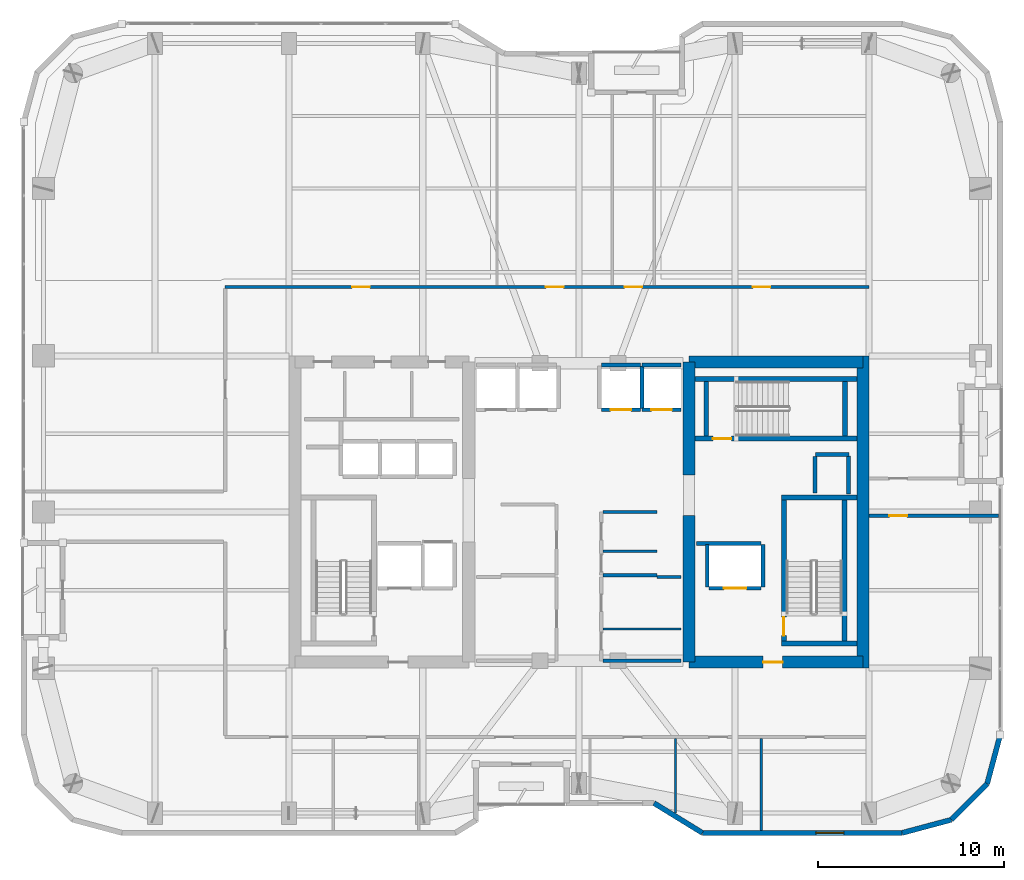
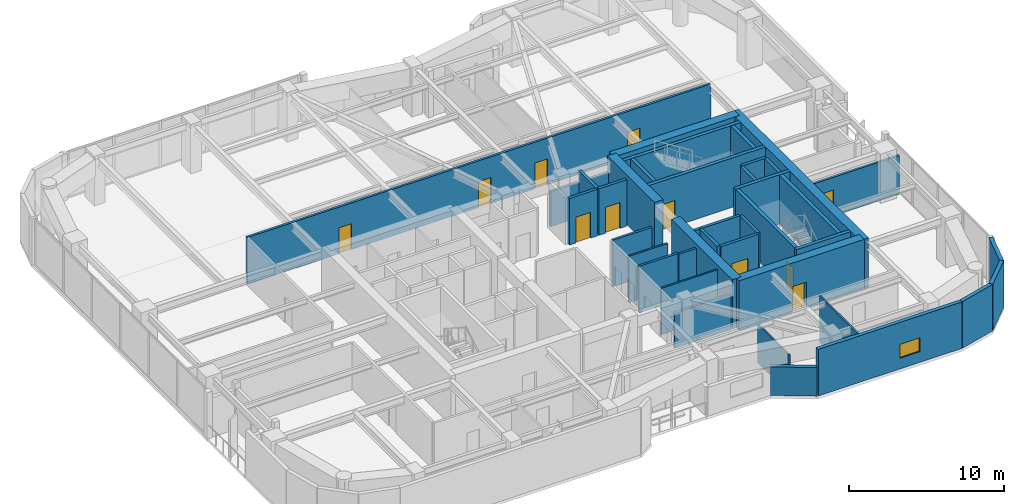
# One storey, part 26 of 30: 40 walls, 11 doors, 1 window, 12 openings.
"""IFC4 building model written with IfcOpenShell, lengths in metres."""

from ifc_helpers import new_model, si_unit, direction, frame, frame_2d, origin, place, context, subcontext, project, spatial, rectangle, extrude, material, layer, layer_set, type_object, element, fill, save


model = new_model("IFC4")

# Units and contexts
model_context = context("Model", 3, precision=1e-05, world=origin(), true_north=direction((0.0, 1.0)))
body_context = subcontext(model_context, "Body", "Model", "MODEL_VIEW")
ifc_project = project(units=[si_unit("LENGTHUNIT", "METRE"), si_unit("AREAUNIT", "SQUARE_METRE"), si_unit("VOLUMEUNIT", "CUBIC_METRE"), si_unit("PLANEANGLEUNIT", "RADIAN"), si_unit("MASSUNIT", "GRAM", prefix="KILO")], contexts=[model_context])

# Site, building, storey
site_placement = place(None, origin())
site = spatial("IfcSite", under=ifc_project, at=site_placement, CompositionType="ELEMENT")
building_placement = place(site_placement, origin())
building = spatial("IfcBuilding", under=site, at=building_placement, Name="Kiyonajd Concourse Tower", CompositionType="ELEMENT")
storey_placement = place(building_placement, frame((0.0, 0.0, 201.89990234375)))
storey = spatial("IfcBuildingStorey", under=building, at=storey_placement, Name="L51", CompositionType="ELEMENT", Elevation=201.89990234375)

# Walls
ifc_material_1 = material(Name="Concrete C60/75", Category="concrete")
ifc_layer_1 = layer(ifc_material_1, 0.64990234375)
ifc_layer_set_1 = layer_set([ifc_layer_1], Name="Concrete C60/75")
wall_type_1 = type_object("IfcWallType", Name="WL-CORE-650", PredefinedType="SHEAR", material=ifc_layer_set_1)
wall_1_placement = place(storey_placement, frame((53.925048828125, 27.925048828125, 0.0), z_axis=(0.0, 0.0, 1.0), x_axis=(0.0, 1.0, 0.0)))
element("IfcWall", 1, at=wall_1_placement, inside=storey, type_object=wall_type_1, Name="L51 East Core Inner South Shear Wall", PredefinedType="SHEAR", context=body_context, shape_type="SweptSolid", body=[
    extrude(rectangle(XDim=7.875, YDim=0.64990234375, at=frame_2d((3.9375, 0.0))), origin(), (0.0, 0.0, 1.0), 3.900146484375),
])
wall_2_placement = place(storey_placement, frame((53.925048828125, 38.0, 0.0), z_axis=(0.0, 0.0, 1.0), x_axis=(0.0, 1.0, 0.0)))
element("IfcWall", 2, at=wall_2_placement, inside=storey, type_object=wall_type_1, Name="L51 East Core Inner North Shear Wall", PredefinedType="SHEAR", context=body_context, shape_type="SweptSolid", body=[
    extrude(rectangle(XDim=6.074951171875, YDim=0.64990234375, at=frame_2d((3.03759765625, 0.0))), origin(), (0.0, 0.0, 1.0), 3.900146484375),
])
wall_3_placement = place(storey_placement, frame((63.27490234375, 27.60009765625, 0.0), z_axis=(0.0, 0.0, 1.0), x_axis=(0.0, 1.0, 0.0)))
element("IfcWall", 3, at=wall_3_placement, inside=storey, type_object=wall_type_1, Name="L51 East Core Outer Shear Wall", PredefinedType="SHEAR", context=body_context, shape_type="SweptSolid", body=[
    extrude(rectangle(XDim=16.7998046875, YDim=0.64990234375, at=frame_2d((8.39990234375, 0.0))), origin(), (0.0, 0.0, 1.0), 3.900146484375),
])

# Wall, opening, door
wall_4_placement = place(storey_placement, frame((53.925048828125, 27.925048828125, 0.0), z_axis=(0.0, 0.0, 1.0), x_axis=(1.0, 0.0, 0.0)))
wall_4 = element("IfcWall", 4, at=wall_4_placement, inside=storey, type_object=wall_type_1, Name="L51 East Core South Shear Wall", PredefinedType="SHEAR", context=body_context, shape_type="SweptSolid", body=[
    extrude(rectangle(XDim=9.349853515625, YDim=0.64990234375, at=frame_2d((4.6748046875, 0.0))), origin(), (0.0, 0.0, 1.0), 3.900146484375),
])
opening_1_placement = place(wall_4_placement, frame((3.97509765625, 0.0, 0.0)))
opening_1 = element("IfcOpeningElement", 5, at=opening_1_placement, cuts=wall_4, Name="Opening DF5", PredefinedType="OPENING", context=body_context, shape_type="SweptSolid", body=[
    extrude(rectangle(XDim=1.050048828125, YDim=2.0400390625, at=frame_2d((0.52490234375, 1.02001953125))), frame((0.0, 0.3349609375, 0.0), z_axis=(0.0, -1.0, 0.0), x_axis=(1.0, 0.0, 0.0)), (0.0, 0.0, 1.0), 0.669921875),
])
ifc_material_2 = material(Name="Brushed Stainless Steel Cab Assembly", Category="steel")
door_type_1 = type_object("IfcDoorType", Name="DR-FD45-1050", OperationType="NOTDEFINED", PredefinedType="DOOR", material=ifc_material_2)
door_1_placement = place(opening_1_placement, origin())
door_1 = element("IfcDoor", 6, at=door_1_placement, inside=storey, type_object=door_type_1, Name="L51 Firefighting Lift Lobby E Smoke Door", OperationType="SINGLE_SWING_RIGHT", OverallHeight=2.0400390625, OverallWidth=1.050048828125, PredefinedType="DOOR", context=body_context, shape_type="SweptSolid", body=[
    extrude(rectangle(XDim=1.050048828125, YDim=2.0400390625, at=frame_2d((0.52490234375, 1.02001953125))), frame((0.0, 0.02490234375, 0.0), z_axis=(0.0, -1.0, 0.0), x_axis=(1.0, 0.0, 0.0)), (0.0, 0.0, 1.0), 0.050048828125),
])
fill(opening_1, door_1)

# Walls
wall_5_placement = place(storey_placement, frame((53.925048828125, 44.074951171875, 0.0), z_axis=(0.0, 0.0, 1.0), x_axis=(1.0, 0.0, 0.0)))
element("IfcWall", 7, at=wall_5_placement, inside=storey, type_object=wall_type_1, Name="L51 East Core North Shear Wall", PredefinedType="SHEAR", context=body_context, shape_type="SweptSolid", body=[
    extrude(rectangle(XDim=9.349853515625, YDim=0.64990234375, at=frame_2d((4.6748046875, 0.0))), origin(), (0.0, 0.0, 1.0), 3.900146484375),
])
ifc_material_3 = material(Name="Precast concrete C50/60", Category="concrete")
ifc_layer_2 = layer(ifc_material_3, 0.280029296875)
ifc_layer_set_2 = layer_set([ifc_layer_2], Name="Precast concrete C50/60")
wall_type_2 = type_object("IfcWallType", Name="WL-EXT-280", PredefinedType="SOLIDWALL", material=ifc_layer_set_2)
wall_6_placement = place(storey_placement, frame((70.659912109375, 24.018310546875, 0.0), z_axis=(0.0, 0.0, 1.0), x_axis=(-0.258672222976, -0.9659651552, 0.0)))
element("IfcWall", 8, at=wall_6_placement, inside=storey, type_object=wall_type_2, Name="L51 Exterior Concrete Frame Wall 25", PredefinedType="SOLIDWALL", context=body_context, shape_type="SweptSolid", body=[
    extrude(rectangle(XDim=2.739013671875, YDim=0.280029296875, at=frame_2d((1.36962890625, 0.0))), origin(), (0.0, 0.0, 1.0), 3.68017578125),
])
wall_7_placement = place(storey_placement, frame((69.951416015625, 21.37255859375, 0.0), z_axis=(0.0, 0.0, 1.0), x_axis=(-0.707061915429, -0.707151644098, 0.0)))
element("IfcWall", 9, at=wall_7_placement, inside=storey, type_object=wall_type_2, Name="L51 Exterior Concrete Frame Wall 26", PredefinedType="SOLIDWALL", context=body_context, shape_type="SweptSolid", body=[
    extrude(rectangle(XDim=2.720947265625, YDim=0.280029296875, at=frame_2d((1.3603515625, 0.0))), origin(), (0.0, 0.0, 1.0), 3.68017578125),
])
wall_8_placement = place(storey_placement, frame((68.027587890625, 19.448486328125, 0.0), z_axis=(0.0, 0.0, 1.0), x_axis=(-0.965971118627, -0.258649952598, 0.0)))
element("IfcWall", 10, at=wall_8_placement, inside=storey, type_object=wall_type_2, Name="L51 Exterior Concrete Frame Wall 27", PredefinedType="SOLIDWALL", context=body_context, shape_type="SweptSolid", body=[
    extrude(rectangle(XDim=2.7392578125, YDim=0.280029296875, at=frame_2d((1.36962890625, 0.0))), origin(), (0.0, 0.0, 1.0), 3.68017578125),
])

# Wall, opening, window
wall_9_placement = place(storey_placement, frame((65.381591796875, 18.739990234375, 0.0), z_axis=(0.0, 0.0, 1.0), x_axis=(-1.0, 0.0, 0.0)))
wall_9 = element("IfcWall", 11, at=wall_9_placement, inside=storey, type_object=wall_type_2, Name="L51 Exterior Concrete Frame Wall 28", PredefinedType="SOLIDWALL", context=body_context, shape_type="SweptSolid", body=[
    extrude(rectangle(XDim=10.741943359375, YDim=0.280029296875, at=frame_2d((5.37109375, 0.0))), origin(), (0.0, 0.0, 1.0), 3.68017578125),
])
opening_2_placement = place(wall_9_placement, frame((3.135986328125, 0.0, 0.85009765625)))
opening_2 = element("IfcOpeningElement", 12, at=opening_2_placement, cuts=wall_9, Name="Opening WN2", PredefinedType="OPENING", context=body_context, shape_type="SweptSolid", body=[
    extrude(rectangle(XDim=1.5, YDim=1.10009765625, at=frame_2d((0.75, 0.550048828125))), frame((0.0, 0.14990234375, 0.0), z_axis=(0.0, -1.0, 0.0), x_axis=(1.0, 0.0, 0.0)), (0.0, 0.0, 1.0), 0.300048828125),
])
ifc_material_4 = material(Name="Double Low-E Insulated Glass", Category="glass")
window_type = type_object("IfcWindowType", Name="WN-VIS-1500x1100", PartitioningType="SINGLE_PANEL", PredefinedType="WINDOW", material=ifc_material_4)
window_placement = place(opening_2_placement, origin())
window = element("IfcWindow", 13, at=window_placement, inside=storey, type_object=window_type, Name="L51 Modular Facade Vision Window 28", OverallHeight=1.10009765625, OverallWidth=1.5, PartitioningType="SINGLE_PANEL", PredefinedType="WINDOW", context=body_context, shape_type="SweptSolid", body=[
    extrude(rectangle(XDim=1.5, YDim=1.10009765625, at=frame_2d((0.75, 0.550048828125))), frame((0.0, 0.030029296875, 0.0), z_axis=(0.0, -1.0, 0.0), x_axis=(1.0, 0.0, 0.0)), (0.0, 0.0, 1.0), 0.06005859375),
])
fill(opening_2, window)

# Walls
wall_10_placement = place(storey_placement, frame((54.6396484375, 18.739990234375, 0.0), z_axis=(0.0, 0.0, 1.0), x_axis=(-0.851652825334, 0.524106349037, 0.0)))
element("IfcWall", 14, at=wall_10_placement, inside=storey, type_object=wall_type_2, Name="L51 Exterior Concrete Frame Wall 29", PredefinedType="SOLIDWALL", context=body_context, shape_type="SweptSolid", body=[
    extrude(rectangle(XDim=3.052978515625, YDim=0.280029296875, at=frame_2d((1.5263671875, 0.0))), origin(), (0.0, 0.0, 1.0), 2.26513671875),
])
ifc_material_5 = material(Name="Gypsum Board on Cold-Formed Steel Stud", Category="steel")
ifc_layer_3 = layer(ifc_material_5, 0.125)
ifc_layer_set_3 = layer_set([ifc_layer_3], Name="Gypsum Board on Cold-Formed Steel Stud")
wall_type_3 = type_object("IfcWallType", Name="WL-PART-125", PredefinedType="PARTITIONING", material=ifc_layer_set_3)
wall_11_placement = place(storey_placement, frame((49.287109375, 33.89208984375, 0.0), z_axis=(0.0, 0.0, 1.0), x_axis=(1.0, 0.0, 0.0)))
element("IfcWall", 15, at=wall_11_placement, inside=storey, type_object=wall_type_3, Name="L51 Interior Partition Wall", PredefinedType="PARTITIONING", context=body_context, shape_type="SweptSolid", body=[
    extrude(rectangle(XDim=2.912841796875, YDim=0.125, at=frame_2d((1.45654296875, 0.0))), origin(), (0.0, 0.0, 1.0), 3.68017578125),
])
wall_12_placement = place(storey_placement, frame((49.287109375, 29.7099609375, 0.0), z_axis=(0.0, 0.0, 1.0), x_axis=(1.0, 0.0, 0.0)))
element("IfcWall", 16, at=wall_12_placement, inside=storey, type_object=wall_type_3, Name="L51 Interior Partition Wall", PredefinedType="PARTITIONING", context=body_context, shape_type="SweptSolid", body=[
    extrude(rectangle(XDim=4.212890625, YDim=0.125, at=frame_2d((2.1064453125, 0.0))), origin(), (0.0, 0.0, 1.0), 3.68017578125),
])
wall_13_placement = place(storey_placement, frame((53.18994140625, 19.800048828125, 0.0), z_axis=(0.0, 0.0, 1.0), x_axis=(0.0, 1.0, 0.0)))
element("IfcWall", 17, at=wall_13_placement, inside=storey, type_object=wall_type_3, Name="L51 Interior Partition Wall", PredefinedType="PARTITIONING", context=body_context, shape_type="SweptSolid", body=[
    extrude(rectangle(XDim=4.012939453125, YDim=0.125, at=frame_2d((2.00634765625, 0.0))), origin(), (0.0, 0.0, 1.0), 3.043212890625),
])
wall_14_placement = place(storey_placement, frame((57.800048828125, 18.875, 0.0), z_axis=(0.0, 0.0, 1.0), x_axis=(0.0, 1.0, 0.0)))
element("IfcWall", 18, at=wall_14_placement, inside=storey, type_object=wall_type_3, Name="L51 Interior Partition Wall", PredefinedType="PARTITIONING", context=body_context, shape_type="SweptSolid", body=[
    extrude(rectangle(XDim=4.93798828125, YDim=0.125, at=frame_2d((2.468994140625, 0.0))), origin(), (0.0, 0.0, 1.0), 3.68017578125),
])
ifc_layer_4 = layer(ifc_material_5, 0.2099609375)
ifc_layer_set_4 = layer_set([ifc_layer_4], Name="Gypsum Board on Cold-Formed Steel Stud")
wall_type_4 = type_object("IfcWallType", Name="WL-SHAFT-210", PredefinedType="PARTITIONING", material=ifc_layer_set_4)
wall_15_placement = place(storey_placement, frame((60.719970703125, 39.10009765625, 0.0), z_axis=(0.0, 0.0, 1.0), x_axis=(1.0, 0.0, 0.0)))
element("IfcWall", 19, at=wall_15_placement, inside=storey, type_object=wall_type_4, Name="L51 Shaft Enclosure Wall", PredefinedType="PARTITIONING", context=body_context, shape_type="SweptSolid", body=[
    extrude(rectangle(XDim=1.800048828125, YDim=0.2099609375, at=frame_2d((0.89990234375, 0.0))), origin(), (0.0, 0.0, 1.0), 3.68017578125),
])
wall_16_placement = place(storey_placement, frame((60.699951171875, 37.02001953125, 0.0), z_axis=(0.0, 0.0, 1.0), x_axis=(0.0, 1.0, 0.0)))
element("IfcWall", 20, at=wall_16_placement, inside=storey, type_object=wall_type_4, Name="L51 Shaft Enclosure Wall", PredefinedType="PARTITIONING", context=body_context, shape_type="SweptSolid", body=[
    extrude(rectangle(XDim=1.9599609375, YDim=0.2099609375, at=frame_2d((0.97998046875, 0.0))), origin(), (0.0, 0.0, 1.0), 3.68017578125),
])
wall_17_placement = place(storey_placement, frame((62.5, 36.97998046875, 0.0), z_axis=(0.0, 0.0, 1.0), x_axis=(0.0, 1.0, 0.0)))
element("IfcWall", 21, at=wall_17_placement, inside=storey, type_object=wall_type_4, Name="L51 Shaft Enclosure Wall", PredefinedType="PARTITIONING", context=body_context, shape_type="SweptSolid", body=[
    extrude(rectangle(XDim=2.0400390625, YDim=0.2099609375, at=frame_2d((1.02001953125, 0.0))), origin(), (0.0, 0.0, 1.0), 3.68017578125),
])

# Wall, opening, door
wall_18_placement = place(storey_placement, frame((55.0, 31.89990234375, 0.0), z_axis=(0.0, 0.0, 1.0), x_axis=(1.0, 0.0, 0.0)))
wall_18 = element("IfcWall", 22, at=wall_18_placement, inside=storey, type_object=wall_type_4, Name="L51 Shaft Enclosure Wall", PredefinedType="PARTITIONING", context=body_context, shape_type="SweptSolid", body=[
    extrude(rectangle(XDim=2.800048828125, YDim=0.2099609375, at=frame_2d((1.39990234375, 0.0))), origin(), (0.0, 0.0, 1.0), 3.68017578125),
])
opening_3_placement = place(wall_18_placement, frame((0.800048828125, 0.0, 0.0)))
opening_3 = element("IfcOpeningElement", 23, at=opening_3_placement, cuts=wall_18, Name="Opening LD2", PredefinedType="OPENING", context=body_context, shape_type="SweptSolid", body=[
    extrude(rectangle(XDim=1.199951171875, YDim=2.0400390625, at=frame_2d((0.60009765625, 1.02001953125))), frame((0.0, 0.114990234375, 0.0), z_axis=(0.0, -1.0, 0.0), x_axis=(1.0, 0.0, 0.0)), (0.0, 0.0, 1.0), 0.22998046875),
])
door_type_2 = type_object("IfcDoorType", Name="DR-LD-1200", OperationType="DOUBLE_DOOR_SLIDING", PredefinedType="DOOR", material=ifc_material_2)
door_2_placement = place(opening_3_placement, origin())
door_2 = element("IfcDoor", 24, at=door_2_placement, inside=storey, type_object=door_type_2, Name="L51 Lift FFL2 Sliding Landing Door", OperationType="DOUBLE_DOOR_SLIDING", OverallHeight=2.0400390625, OverallWidth=1.199951171875, PredefinedType="DOOR", context=body_context, shape_type="SweptSolid", body=[
    extrude(rectangle(XDim=1.199951171875, YDim=2.0400390625, at=frame_2d((0.60009765625, 1.02001953125))), frame((0.0, 0.02490234375, 0.0), z_axis=(0.0, -1.0, 0.0), x_axis=(1.0, 0.0, 0.0)), (0.0, 0.0, 1.0), 0.050048828125),
])
fill(opening_3, door_2)

# Walls
wall_19_placement = place(storey_placement, frame((54.320068359375, 34.300048828125, 0.0), z_axis=(0.0, 0.0, 1.0), x_axis=(1.0, 0.0, 0.0)))
element("IfcWall", 25, at=wall_19_placement, inside=storey, type_object=wall_type_4, Name="L51 Shaft Enclosure Wall", PredefinedType="PARTITIONING", context=body_context, shape_type="SweptSolid", body=[
    extrude(rectangle(XDim=3.47998046875, YDim=0.2099609375, at=frame_2d((1.739990234375, 0.0))), origin(), (0.0, 0.0, 1.0), 3.68017578125),
])
for number, where, z_axis, x_axis, name in (
    (26, (54.89990234375, 31.9599609375, 0.0), (0.0, 0.0, 1.0), (0.0, 1.0, 0.0), "L51 Shaft Enclosure Wall"),
    (27, (57.89990234375, 31.9599609375, 0.0), (0.0, 0.0, 1.0), (0.0, 1.0, 0.0), "L51 Shaft Enclosure Wall"),
):
    element("IfcWall", number, at=place(storey_placement, frame(where, z_axis=z_axis, x_axis=x_axis)), inside=storey, type_object=wall_type_4, Name=name, PredefinedType="PARTITIONING", context=body_context, shape_type="SweptSolid", body=[
        extrude(rectangle(XDim=2.280029296875, YDim=0.2099609375, at=frame_2d((1.14013671875, 0.0))), origin(), (0.0, 0.0, 1.0), 3.68017578125),
    ])

# Wall, opening, door
wall_20_placement = place(storey_placement, frame((49.199951171875, 41.5, 0.0), z_axis=(0.0, 0.0, 1.0), x_axis=(1.0, 0.0, 0.0)))
wall_20 = element("IfcWall", 28, at=wall_20_placement, inside=storey, type_object=wall_type_4, Name="L51 Shaft Enclosure Wall", PredefinedType="PARTITIONING", context=body_context, shape_type="SweptSolid", body=[
    extrude(rectangle(XDim=2.10009765625, YDim=0.2099609375, at=frame_2d((1.050048828125, 0.0))), origin(), (0.0, 0.0, 1.0), 3.68017578125),
])
opening_4_placement = place(wall_20_placement, frame((0.5, 0.0, 0.0)))
opening_4 = element("IfcOpeningElement", 29, at=opening_4_placement, cuts=wall_20, Name="Opening LD1", PredefinedType="OPENING", context=body_context, shape_type="SweptSolid", body=[
    extrude(rectangle(XDim=1.10009765625, YDim=2.0400390625, at=frame_2d((0.550048828125, 1.02001953125))), frame((0.0, 0.114990234375, 0.0), z_axis=(0.0, -1.0, 0.0), x_axis=(1.0, 0.0, 0.0)), (0.0, 0.0, 1.0), 0.22998046875),
])
door_type_3 = type_object("IfcDoorType", Name="DR-LD-1100", OperationType="DOUBLE_DOOR_SLIDING", PredefinedType="DOOR", material=ifc_material_2)
door_3_placement = place(opening_4_placement, origin())
door_3 = element("IfcDoor", 30, at=door_3_placement, inside=storey, type_object=door_type_3, Name="L51 Lift PL-M3 Sliding Landing Door", OperationType="DOUBLE_DOOR_SLIDING", OverallHeight=2.0400390625, OverallWidth=1.10009765625, PredefinedType="DOOR", context=body_context, shape_type="SweptSolid", body=[
    extrude(rectangle(XDim=1.10009765625, YDim=2.0400390625, at=frame_2d((0.550048828125, 1.02001953125))), frame((0.0, 0.02490234375, 0.0), z_axis=(0.0, -1.0, 0.0), x_axis=(1.0, 0.0, 0.0)), (0.0, 0.0, 1.0), 0.050048828125),
])
fill(opening_4, door_3)

# Walls
wall_21_placement = place(storey_placement, frame((49.199951171875, 43.89990234375, 0.0), z_axis=(0.0, 0.0, 1.0), x_axis=(1.0, 0.0, 0.0)))
element("IfcWall", 31, at=wall_21_placement, inside=storey, type_object=wall_type_4, Name="L51 Shaft Enclosure Wall", PredefinedType="PARTITIONING", context=body_context, shape_type="SweptSolid", body=[
    extrude(rectangle(XDim=2.10009765625, YDim=0.2099609375, at=frame_2d((1.050048828125, 0.0))), origin(), (0.0, 0.0, 1.0), 2.76513671875),
])
wall_22_placement = place(storey_placement, frame((51.39990234375, 41.56005859375, 0.0), z_axis=(0.0, 0.0, 1.0), x_axis=(0.0, 1.0, 0.0)))
element("IfcWall", 32, at=wall_22_placement, inside=storey, type_object=wall_type_4, Name="L51 Shaft Enclosure Wall", PredefinedType="PARTITIONING", context=body_context, shape_type="SweptSolid", body=[
    extrude(rectangle(XDim=2.280029296875, YDim=0.2099609375, at=frame_2d((1.14013671875, 0.0))), origin(), (0.0, 0.0, 1.0), 3.68017578125),
])

# Wall, opening, door
wall_23_placement = place(storey_placement, frame((51.39990234375, 41.5, 0.0), z_axis=(0.0, 0.0, 1.0), x_axis=(1.0, 0.0, 0.0)))
wall_23 = element("IfcWall", 33, at=wall_23_placement, inside=storey, type_object=wall_type_4, Name="L51 Shaft Enclosure Wall", PredefinedType="PARTITIONING", context=body_context, shape_type="SweptSolid", body=[
    extrude(rectangle(XDim=2.10009765625, YDim=0.2099609375, at=frame_2d((1.050048828125, 0.0))), origin(), (0.0, 0.0, 1.0), 3.68017578125),
])
opening_5_placement = place(wall_23_placement, frame((0.5, 0.0, 0.0)))
opening_5 = element("IfcOpeningElement", 34, at=opening_5_placement, cuts=wall_23, Name="Opening LD1", PredefinedType="OPENING", context=body_context, shape_type="SweptSolid", body=[
    extrude(rectangle(XDim=1.10009765625, YDim=2.0400390625, at=frame_2d((0.550048828125, 1.02001953125))), frame((0.0, 0.114990234375, 0.0), z_axis=(0.0, -1.0, 0.0), x_axis=(1.0, 0.0, 0.0)), (0.0, 0.0, 1.0), 0.22998046875),
])
door_4_placement = place(opening_5_placement, origin())
door_4 = element("IfcDoor", 35, at=door_4_placement, inside=storey, type_object=door_type_3, Name="L51 Lift PL-M4 Sliding Landing Door", OperationType="DOUBLE_DOOR_SLIDING", OverallHeight=2.0400390625, OverallWidth=1.10009765625, PredefinedType="DOOR", context=body_context, shape_type="SweptSolid", body=[
    extrude(rectangle(XDim=1.10009765625, YDim=2.0400390625, at=frame_2d((0.550048828125, 1.02001953125))), frame((0.0, 0.02490234375, 0.0), z_axis=(0.0, -1.0, 0.0), x_axis=(1.0, 0.0, 0.0)), (0.0, 0.0, 1.0), 0.050048828125),
])
fill(opening_5, door_4)

# Walls
wall_24_placement = place(storey_placement, frame((51.39990234375, 43.89990234375, 0.0), z_axis=(0.0, 0.0, 1.0), x_axis=(1.0, 0.0, 0.0)))
element("IfcWall", 36, at=wall_24_placement, inside=storey, type_object=wall_type_4, Name="L51 Shaft Enclosure Wall", PredefinedType="PARTITIONING", context=body_context, shape_type="SweptSolid", body=[
    extrude(rectangle(XDim=2.10009765625, YDim=0.2099609375, at=frame_2d((1.050048828125, 0.0))), origin(), (0.0, 0.0, 1.0), 2.76513671875),
])
ifc_layer_5 = layer(ifc_material_5, 0.169921875)
ifc_layer_set_5 = layer_set([ifc_layer_5], Name="Gypsum Board on Cold-Formed Steel Stud")
wall_type_5 = type_object("IfcWallType", Name="WL-SMK-170", PredefinedType="PARTITIONING", material=ifc_layer_set_5)
for number, where, z_axis, x_axis, name in (
    (37, (49.287109375, 32.60009765625, 0.0), (0.0, 0.0, 1.0), (1.0, 0.0, 0.0), "L51 Interior Partition Wall"),
    (38, (49.287109375, 36.0, 0.0), (0.0, 0.0, 1.0), (1.0, 0.0, 0.0), "L51 Interior Partition Wall"),
):
    element("IfcWall", number, at=place(storey_placement, frame(where, z_axis=z_axis, x_axis=x_axis)), inside=storey, type_object=wall_type_5, Name=name, PredefinedType="PARTITIONING", context=body_context, shape_type="SweptSolid", body=[
        extrude(rectangle(XDim=2.912841796875, YDim=0.169921875, at=frame_2d((1.45654296875, 0.0))), origin(), (0.0, 0.0, 1.0), 3.68017578125),
    ])
wall_25_placement = place(storey_placement, frame((49.287109375, 28.0, 0.0), z_axis=(0.0, 0.0, 1.0), x_axis=(1.0, 0.0, 0.0)))
element("IfcWall", 39, at=wall_25_placement, inside=storey, type_object=wall_type_5, Name="L51 Interior Partition Wall", PredefinedType="PARTITIONING", context=body_context, shape_type="SweptSolid", body=[
    extrude(rectangle(XDim=4.212890625, YDim=0.169921875, at=frame_2d((2.1064453125, 0.0))), origin(), (0.0, 0.0, 1.0), 2.76513671875),
])
wall_26_placement = place(storey_placement, frame((52.199951171875, 32.5, 0.0), z_axis=(0.0, 0.0, 1.0), x_axis=(1.0, 0.0, 0.0)))
element("IfcWall", 40, at=wall_26_placement, inside=storey, type_object=wall_type_5, Name="L51 Interior Partition Wall", PredefinedType="PARTITIONING", context=body_context, shape_type="SweptSolid", body=[
    extrude(rectangle(XDim=1.300048828125, YDim=0.169921875, at=frame_2d((0.64990234375, 0.0))), origin(), (0.0, 0.0, 1.0), 3.68017578125),
])

# Wall, openings, doors
wall_27_placement = place(storey_placement, frame((28.97509765625, 48.10009765625, 0.0), z_axis=(0.0, 0.0, 1.0), x_axis=(1.0, 0.0, 0.0)))
wall_27 = element("IfcWall", 41, at=wall_27_placement, inside=storey, type_object=wall_type_5, Name="L51 Interior Partition Wall", PredefinedType="PARTITIONING", context=body_context, shape_type="SweptSolid", body=[
    extrude(rectangle(XDim=34.625, YDim=0.169921875, at=frame_2d((17.3125, 0.0))), origin(), (0.0, 0.0, 1.0), 3.68017578125),
])
opening_6_placement = place(wall_27_placement, frame((6.83203125, 0.0, 0.0)))
opening_6 = element("IfcOpeningElement", 42, at=opening_6_placement, cuts=wall_27, Name="Opening DI1", PredefinedType="OPENING", context=body_context, shape_type="SweptSolid", body=[
    extrude(rectangle(XDim=0.949951171875, YDim=2.0400390625, at=frame_2d((0.47509765625, 1.02001953125))), frame((0.0, 0.094970703125, 0.0), z_axis=(0.0, -1.0, 0.0), x_axis=(1.0, 0.0, 0.0)), (0.0, 0.0, 1.0), 0.18994140625),
])
opening_7_placement = place(wall_27_placement, frame((17.2451171875, 0.0, 0.0)))
opening_7 = element("IfcOpeningElement", 43, at=opening_7_placement, cuts=wall_27, Name="Opening DI1", PredefinedType="OPENING", context=body_context, shape_type="SweptSolid", body=[
    extrude(rectangle(XDim=0.949951171875, YDim=2.0400390625, at=frame_2d((0.47509765625, 1.02001953125))), frame((0.0, 0.094970703125, 0.0), z_axis=(0.0, -1.0, 0.0), x_axis=(1.0, 0.0, 0.0)), (0.0, 0.0, 1.0), 0.18994140625),
])
opening_8_placement = place(wall_27_placement, frame((21.47509765625, 0.0, 0.0)))
opening_8 = element("IfcOpeningElement", 44, at=opening_8_placement, cuts=wall_27, Name="Opening DI1", PredefinedType="OPENING", context=body_context, shape_type="SweptSolid", body=[
    extrude(rectangle(XDim=0.949951171875, YDim=2.0400390625, at=frame_2d((0.47509765625, 1.02001953125))), frame((0.0, 0.094970703125, 0.0), z_axis=(0.0, -1.0, 0.0), x_axis=(1.0, 0.0, 0.0)), (0.0, 0.0, 1.0), 0.18994140625),
])
opening_9_placement = place(wall_27_placement, frame((28.375, 0.0, 0.0)))
opening_9 = element("IfcOpeningElement", 45, at=opening_9_placement, cuts=wall_27, Name="Opening DI1", PredefinedType="OPENING", context=body_context, shape_type="SweptSolid", body=[
    extrude(rectangle(XDim=0.949951171875, YDim=2.0400390625, at=frame_2d((0.47509765625, 1.02001953125))), frame((0.0, 0.094970703125, 0.0), z_axis=(0.0, -1.0, 0.0), x_axis=(1.0, 0.0, 0.0)), (0.0, 0.0, 1.0), 0.18994140625),
])
ifc_material_6 = material(Name="Natural Oak Acoustic Timber Veneer", Category="wood")
door_type_4 = type_object("IfcDoorType", Name="DR-INT-950", OperationType="NOTDEFINED", PredefinedType="DOOR", material=ifc_material_6)
door_5_placement = place(opening_6_placement, origin())
door_5 = element("IfcDoor", 46, at=door_5_placement, inside=storey, type_object=door_type_4, Name="L51 Interior Door", OperationType="SINGLE_SWING_RIGHT", OverallHeight=2.0400390625, OverallWidth=0.949951171875, PredefinedType="DOOR", context=body_context, shape_type="SweptSolid", body=[
    extrude(rectangle(XDim=0.949951171875, YDim=2.0400390625, at=frame_2d((0.47509765625, 1.02001953125))), frame((0.0, 0.02490234375, 0.0), z_axis=(0.0, -1.0, 0.0), x_axis=(1.0, 0.0, 0.0)), (0.0, 0.0, 1.0), 0.050048828125),
])
fill(opening_6, door_5)
door_6_placement = place(opening_7_placement, origin())
door_6 = element("IfcDoor", 47, at=door_6_placement, inside=storey, type_object=door_type_4, Name="L51 Interior Door", OperationType="SINGLE_SWING_LEFT", OverallHeight=2.0400390625, OverallWidth=0.949951171875, PredefinedType="DOOR", context=body_context, shape_type="SweptSolid", body=[
    extrude(rectangle(XDim=0.949951171875, YDim=2.0400390625, at=frame_2d((0.47509765625, 1.02001953125))), frame((0.0, 0.02490234375, 0.0), z_axis=(0.0, -1.0, 0.0), x_axis=(1.0, 0.0, 0.0)), (0.0, 0.0, 1.0), 0.050048828125),
])
fill(opening_7, door_6)
door_7_placement = place(opening_8_placement, origin())
door_7 = element("IfcDoor", 48, at=door_7_placement, inside=storey, type_object=door_type_4, Name="L51 Interior Door", OperationType="SINGLE_SWING_RIGHT", OverallHeight=2.0400390625, OverallWidth=0.949951171875, PredefinedType="DOOR", context=body_context, shape_type="SweptSolid", body=[
    extrude(rectangle(XDim=0.949951171875, YDim=2.0400390625, at=frame_2d((0.47509765625, 1.02001953125))), frame((0.0, 0.02490234375, 0.0), z_axis=(0.0, -1.0, 0.0), x_axis=(1.0, 0.0, 0.0)), (0.0, 0.0, 1.0), 0.050048828125),
])
fill(opening_8, door_7)
door_8_placement = place(opening_9_placement, origin())
door_8 = element("IfcDoor", 49, at=door_8_placement, inside=storey, type_object=door_type_4, Name="L51 Interior Door", OperationType="SINGLE_SWING_LEFT", OverallHeight=2.0400390625, OverallWidth=0.949951171875, PredefinedType="DOOR", context=body_context, shape_type="SweptSolid", body=[
    extrude(rectangle(XDim=0.949951171875, YDim=2.0400390625, at=frame_2d((0.47509765625, 1.02001953125))), frame((0.0, 0.02490234375, 0.0), z_axis=(0.0, -1.0, 0.0), x_axis=(1.0, 0.0, 0.0)), (0.0, 0.0, 1.0), 0.050048828125),
])
fill(opening_9, door_8)

# Wall, opening, door
wall_28_placement = place(storey_placement, frame((63.60009765625, 35.800048828125, 0.0), z_axis=(0.0, 0.0, 1.0), x_axis=(1.0, 0.0, 0.0)))
wall_28 = element("IfcWall", 50, at=wall_28_placement, inside=storey, type_object=wall_type_5, Name="L51 Interior Partition Wall", PredefinedType="PARTITIONING", context=body_context, shape_type="SweptSolid", body=[
    extrude(rectangle(XDim=6.974853515625, YDim=0.169921875, at=frame_2d((3.4873046875, 0.0))), origin(), (0.0, 0.0, 1.0), 3.043212890625),
])
opening_10_placement = place(wall_28_placement, frame((1.10009765625, 0.0, 0.0)))
opening_10 = element("IfcOpeningElement", 51, at=opening_10_placement, cuts=wall_28, Name="Opening DI1", PredefinedType="OPENING", context=body_context, shape_type="SweptSolid", body=[
    extrude(rectangle(XDim=0.949951171875, YDim=2.0400390625, at=frame_2d((0.47509765625, 1.02001953125))), frame((0.0, 0.094970703125, 0.0), z_axis=(0.0, -1.0, 0.0), x_axis=(1.0, 0.0, 0.0)), (0.0, 0.0, 1.0), 0.18994140625),
])
door_9_placement = place(opening_10_placement, origin())
door_9 = element("IfcDoor", 52, at=door_9_placement, inside=storey, type_object=door_type_4, Name="L51 Interior Door", OperationType="SINGLE_SWING_RIGHT", OverallHeight=2.0400390625, OverallWidth=0.949951171875, PredefinedType="DOOR", context=body_context, shape_type="SweptSolid", body=[
    extrude(rectangle(XDim=0.949951171875, YDim=2.0400390625, at=frame_2d((0.47509765625, 1.02001953125))), frame((0.0, 0.02490234375, 0.0), z_axis=(0.0, -1.0, 0.0), x_axis=(1.0, 0.0, 0.0)), (0.0, 0.0, 1.0), 0.050048828125),
])
fill(opening_10, door_9)

# Walls
ifc_material_7 = material(Name="Concrete C50/60", Category="concrete")
ifc_layer_6 = layer(ifc_material_7, 0.260009765625)
ifc_layer_set_6 = layer_set([ifc_layer_6], Name="Concrete C50/60")
wall_type_6 = type_object("IfcWallType", Name="WL-STAIR-260", PredefinedType="SHEAR", material=ifc_layer_set_6)
for number, where, z_axis, x_axis, name in (
    (53, (58.889892578125, 28.919921875, 0.0), (0.0, 0.0, 1.0), (1.0, 0.0, 0.0), "L51 Stair ST2 Structural South Wall"),
    (54, (58.889892578125, 36.780029296875, 0.0), (0.0, 0.0, 1.0), (1.0, 0.0, 0.0), "L51 Stair ST2 Structural North Wall"),
):
    element("IfcWall", number, at=place(storey_placement, frame(where, z_axis=z_axis, x_axis=x_axis)), inside=storey, type_object=wall_type_6, Name=name, PredefinedType="SHEAR", context=body_context, shape_type="SweptSolid", body=[
        extrude(rectangle(XDim=4.06005859375, YDim=0.260009765625, at=frame_2d((2.030029296875, 0.0))), origin(), (0.0, 0.0, 1.0), 3.900146484375),
    ])

# Wall, opening, door
wall_29_placement = place(storey_placement, frame((59.02001953125, 29.050048828125, 0.0), z_axis=(0.0, 0.0, 1.0), x_axis=(0.0, 1.0, 0.0)))
wall_29 = element("IfcWall", 55, at=wall_29_placement, inside=storey, type_object=wall_type_6, Name="L51 Stair ST2 Structural West Wall", PredefinedType="SHEAR", context=body_context, shape_type="SweptSolid", body=[
    extrude(rectangle(XDim=7.599853515625, YDim=0.260009765625, at=frame_2d((3.7998046875, 0.0))), origin(), (0.0, 0.0, 1.0), 3.900146484375),
])
opening_11_placement = place(wall_29_placement, frame((0.300048828125, 0.0, 0.0)))
opening_11 = element("IfcOpeningElement", 56, at=opening_11_placement, cuts=wall_29, Name="Opening DF1", PredefinedType="OPENING", context=body_context, shape_type="SweptSolid", body=[
    extrude(rectangle(XDim=1.0, YDim=2.0400390625, at=frame_2d((0.5, 1.02001953125))), frame((0.0, 0.139892578125, 0.0), z_axis=(0.0, -1.0, 0.0), x_axis=(1.0, 0.0, 0.0)), (0.0, 0.0, 1.0), 0.280029296875),
])
door_type_5 = type_object("IfcDoorType", Name="DR-FD90-1000", OperationType="NOTDEFINED", PredefinedType="DOOR", material=ifc_material_2)
door_10_placement = place(opening_11_placement, origin())
door_10 = element("IfcDoor", 57, at=door_10_placement, inside=storey, type_object=door_type_5, Name="L51 Stair ST2 FSAE Door", OperationType="SINGLE_SWING_RIGHT", OverallHeight=2.0400390625, OverallWidth=1.0, PredefinedType="DOOR", context=body_context, shape_type="SweptSolid", body=[
    extrude(rectangle(XDim=1.0, YDim=2.0400390625, at=frame_2d((0.5, 1.02001953125))), frame((0.0, 0.02490234375, 0.0), z_axis=(0.0, -1.0, 0.0), x_axis=(1.0, 0.0, 0.0)), (0.0, 0.0, 1.0), 0.050048828125),
])
fill(opening_11, door_10)

# Wall
wall_30_placement = place(storey_placement, frame((62.280029296875, 29.050048828125, 0.0), z_axis=(0.0, 0.0, 1.0), x_axis=(0.0, 1.0, 0.0)))
element("IfcWall", 58, at=wall_30_placement, inside=storey, type_object=wall_type_6, Name="L51 Stair ST2 Structural East Wall", PredefinedType="SHEAR", context=body_context, shape_type="SweptSolid", body=[
    extrude(rectangle(XDim=7.599853515625, YDim=0.260009765625, at=frame_2d((3.7998046875, 0.0))), origin(), (0.0, 0.0, 1.0), 3.900146484375),
])

# Wall, opening, door
wall_31_placement = place(storey_placement, frame((54.25, 39.949951171875, 0.0), z_axis=(0.0, 0.0, 1.0), x_axis=(1.0, 0.0, 0.0)))
wall_31 = element("IfcWall", 59, at=wall_31_placement, inside=storey, type_object=wall_type_6, Name="L51 Stair ST3 Structural South Wall", PredefinedType="SHEAR", context=body_context, shape_type="SweptSolid", body=[
    extrude(rectangle(XDim=8.699951171875, YDim=0.260009765625, at=frame_2d((4.35009765625, 0.0))), origin(), (0.0, 0.0, 1.0), 3.900146484375),
])
opening_12_placement = place(wall_31_placement, frame((0.949951171875, 0.0, 0.0)))
opening_12 = element("IfcOpeningElement", 60, at=opening_12_placement, cuts=wall_31, Name="Opening DF1", PredefinedType="OPENING", context=body_context, shape_type="SweptSolid", body=[
    extrude(rectangle(XDim=1.0, YDim=2.0400390625, at=frame_2d((0.5, 1.02001953125))), frame((0.0, 0.139892578125, 0.0), z_axis=(0.0, -1.0, 0.0), x_axis=(1.0, 0.0, 0.0)), (0.0, 0.0, 1.0), 0.280029296875),
])
door_11_placement = place(opening_12_placement, origin())
door_11 = element("IfcDoor", 61, at=door_11_placement, inside=storey, type_object=door_type_5, Name="L51 Stair ST3 Enclosure Door", OperationType="SINGLE_SWING_LEFT", OverallHeight=2.0400390625, OverallWidth=1.0, PredefinedType="DOOR", context=body_context, shape_type="SweptSolid", body=[
    extrude(rectangle(XDim=1.0, YDim=2.0400390625, at=frame_2d((0.5, 1.02001953125))), frame((0.0, 0.02490234375, 0.0), z_axis=(0.0, -1.0, 0.0), x_axis=(1.0, 0.0, 0.0)), (0.0, 0.0, 1.0), 0.050048828125),
])
fill(opening_12, door_11)

# Walls
wall_32_placement = place(storey_placement, frame((54.25, 43.14990234375, 0.0), z_axis=(0.0, 0.0, 1.0), x_axis=(1.0, 0.0, 0.0)))
element("IfcWall", 62, at=wall_32_placement, inside=storey, type_object=wall_type_6, Name="L51 Stair ST3 Structural North Wall", PredefinedType="SHEAR", context=body_context, shape_type="SweptSolid", body=[
    extrude(rectangle(XDim=8.699951171875, YDim=0.260009765625, at=frame_2d((4.35009765625, 0.0))), origin(), (0.0, 0.0, 1.0), 3.900146484375),
])
for number, where, z_axis, x_axis, name in (
    (63, (54.85009765625, 40.080078125, 0.0), (0.0, 0.0, 1.0), (0.0, 1.0, 0.0), "L51 Stair ST3 Structural West Wall"),
    (64, (62.31005859375, 40.080078125, 0.0), (0.0, 0.0, 1.0), (0.0, 1.0, 0.0), "L51 Stair ST3 Structural East Wall"),
):
    element("IfcWall", number, at=place(storey_placement, frame(where, z_axis=z_axis, x_axis=x_axis)), inside=storey, type_object=wall_type_6, Name=name, PredefinedType="SHEAR", context=body_context, shape_type="SweptSolid", body=[
        extrude(rectangle(XDim=2.93994140625, YDim=0.260009765625, at=frame_2d((1.469970703125, 0.0))), origin(), (0.0, 0.0, 1.0), 3.900146484375),
    ])

save(model, "model.ifc")
